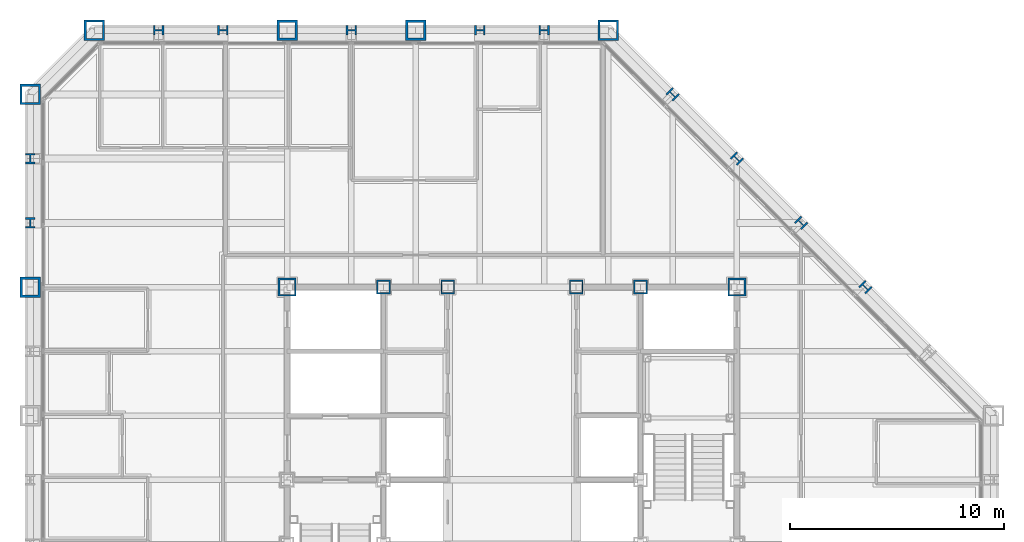
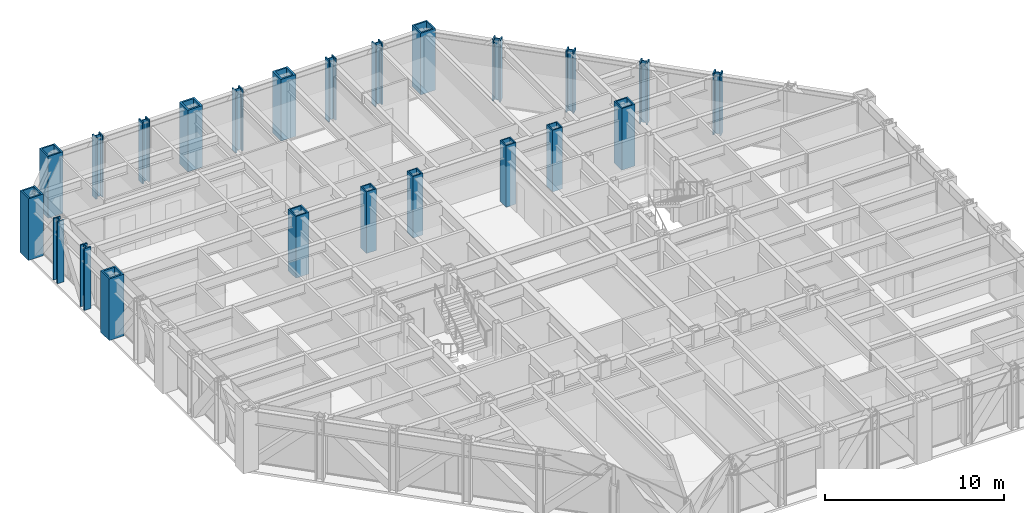
# One storey, part 3 of 16: 23 columns.
"""IFC4 building model written with IfcOpenShell, lengths in metres."""

from ifc_helpers import new_model, si_unit, direction, frame, origin, origin_2d, place, context, subcontext, project, spatial, hollow_rectangle, i_section, extrude, material, material_profile, profile_set, type_object, element, save


model = new_model("IFC4")

# Units and contexts
model_context = context("Model", 3, precision=1e-05, world=origin(), true_north=direction((0.0, 1.0)))
body_context = subcontext(model_context, "Body", "Model", "MODEL_VIEW")
ifc_project = project(units=[si_unit("LENGTHUNIT", "METRE"), si_unit("AREAUNIT", "SQUARE_METRE"), si_unit("VOLUMEUNIT", "CUBIC_METRE"), si_unit("PLANEANGLEUNIT", "RADIAN"), si_unit("MASSUNIT", "GRAM", prefix="KILO")], contexts=[model_context])

# Site, building, storey
site_placement = place(None, origin())
site = spatial("IfcSite", under=ifc_project, at=site_placement, CompositionType="ELEMENT")
building_placement = place(site_placement, origin())
building = spatial("IfcBuilding", under=site, at=building_placement, Name="Chuquiago Exchange Tower", CompositionType="ELEMENT")
storey_placement = place(building_placement, frame((0.0, 0.0, 140.39990234375)))
storey = spatial("IfcBuildingStorey", under=building, at=storey_placement, Name="L30", CompositionType="ELEMENT", Elevation=140.39990234375)

# Columns
ifc_material_1 = material(Name="Steel ASTM A992", Category="steel")
ifc_material_profile_1 = material_profile(ifc_material_1, i_section(OverallWidth=0.431884765625, OverallDepth=0.497802734375, WebThickness=0.0556640625, FlangeThickness=0.0888671875, at=origin_2d()), Name="W14X500")
ifc_profile_set_1 = profile_set([ifc_material_profile_1], Name="Steel ASTM A992")
column_type_1 = type_object("IfcColumnType", Name="C7 W14X500", PredefinedType="COLUMN", material=ifc_profile_set_1)
for number, where, z_axis, x_axis, name in (
    (1, (24.0, 45.0, 0.0), (0.0, 0.0, 1.0), (0.0, 1.0, 0.0), "COL-L30-24_45"),
    (2, (21.0, 45.0, 0.0), (0.0, 0.0, 1.0), (0.0, 1.0, 0.0), "COL-L30-21_45"),
    (3, (15.0, 45.0, 0.0), (0.0, 0.0, 1.0), (0.0, 1.0, 0.0), "COL-L30-15_45"),
    (4, (9.0, 45.0, 0.0), (0.0, 0.0, 1.0), (0.0, 1.0, 0.0), "COL-L30-9_45"),
    (5, (6.0, 45.0, 0.0), (0.0, 0.0, 1.0), (0.0, 1.0, 0.0), "COL-L30-6_45"),
    (6, (0.0, 39.0, 0.0), (0.0, 0.0, 1.0), (-1.0, 0.0, 0.0), "COL-L30-0_39"),
    (7, (0.0, 36.0, 0.0), (0.0, 0.0, 1.0), (-1.0, 0.0, 0.0), "COL-L30-0_36"),
):
    element("IfcColumn", number, at=place(storey_placement, frame(where, z_axis=z_axis, x_axis=x_axis)), inside=storey, type_object=column_type_1, Name=name, PredefinedType="COLUMN", context=body_context, shape_type="SweptSolid", body=[
        extrude(i_section(OverallWidth=0.431884765625, OverallDepth=0.497802734375, WebThickness=0.0556640625, FlangeThickness=0.0888671875, at=origin_2d()), origin(), (0.0, 0.0, 1.0), 4.2001953125),
    ])
ifc_material_2 = material(Name="Steel ASTM A572 Grade 50", Category="steel")
ifc_material_profile_2 = material_profile(ifc_material_2, hollow_rectangle(XDim=0.85009765625, YDim=0.85009765625, WallThickness=0.0849609375, at=origin_2d()), Name="BOX850X850X85")
ifc_profile_set_2 = profile_set([ifc_material_profile_2], Name="Steel ASTM A572 Grade 50")
column_type_2 = type_object("IfcColumnType", Name="CC6 BOX850X850X85", PredefinedType="COLUMN", material=ifc_profile_set_2)
for number, where, z_axis, x_axis, name in (
    (8, (12.0, 33.0, 0.0), (0.0, 0.0, 1.0), (1.0, 0.0, 0.0), "CCOL-L30-12_33"),
    (9, (33.0, 33.0, 0.0), (0.0, 0.0, 1.0), (1.0, 0.0, 0.0), "CCOL-L30-33_33"),
):
    element("IfcColumn", number, at=place(storey_placement, frame(where, z_axis=z_axis, x_axis=x_axis)), inside=storey, type_object=column_type_2, Name=name, PredefinedType="COLUMN", context=body_context, shape_type="SweptSolid", body=[
        extrude(hollow_rectangle(XDim=0.85009765625, YDim=0.85009765625, WallThickness=0.0849609375, at=origin_2d()), origin(), (0.0, 0.0, 1.0), 4.2001953125),
    ])
ifc_material_3 = material(Name="Steel ASTM A572 Grade 50", Category="steel")
ifc_material_profile_3 = material_profile(ifc_material_3, hollow_rectangle(XDim=0.64990234375, YDim=0.64990234375, WallThickness=0.06494140625, at=origin_2d()), Name="BOX650X650X65")
ifc_profile_set_3 = profile_set([ifc_material_profile_3], Name="Steel ASTM A572 Grade 50")
column_type_3 = type_object("IfcColumnType", Name="CC7 BOX650X650X65", PredefinedType="COLUMN", material=ifc_profile_set_3)
for number, where, z_axis, x_axis, name in (
    (10, (16.5, 33.0, 0.0), (0.0, 0.0, 1.0), (1.0, 0.0, 0.0), "CCOL-L30-16.5_33"),
    (11, (19.5, 33.0, 0.0), (0.0, 0.0, 1.0), (1.0, 0.0, 0.0), "CCOL-L30-19.5_33"),
    (12, (25.5, 33.0, 0.0), (0.0, 0.0, 1.0), (1.0, 0.0, 0.0), "CCOL-L30-25.5_33"),
    (13, (28.5, 33.0, 0.0), (0.0, 0.0, 1.0), (1.0, 0.0, 0.0), "CCOL-L30-28.5_33"),
):
    element("IfcColumn", number, at=place(storey_placement, frame(where, z_axis=z_axis, x_axis=x_axis)), inside=storey, type_object=column_type_3, Name=name, PredefinedType="COLUMN", context=body_context, shape_type="SweptSolid", body=[
        extrude(hollow_rectangle(XDim=0.64990234375, YDim=0.64990234375, WallThickness=0.06494140625, at=origin_2d()), origin(), (0.0, 0.0, 1.0), 4.2001953125),
    ])
ifc_material_4 = material(Name="Steel ASTM A992", Category="steel")
ifc_material_profile_4 = material_profile(ifc_material_4, i_section(OverallWidth=0.4267578125, OverallDepth=0.482666015625, WebThickness=0.05126953125, FlangeThickness=0.08154296875, at=origin_2d()), Name="W14X455")
ifc_profile_set_4 = profile_set([ifc_material_profile_4], Name="Steel ASTM A992")
column_type_4 = type_object("IfcColumnType", Name="CK6 W14X455", PredefinedType="COLUMN", material=ifc_profile_set_4)
for number, where, z_axis, x_axis, name in (
    (14, (39.0, 33.0, 0.0), (0.0, 0.0, 1.0), (0.707106781187, 0.707106781187, 0.0), "COL-L30-39_33"),
    (15, (36.0, 36.0, 0.0), (0.0, 0.0, 1.0), (0.707106781187, 0.707106781187, 0.0), "COL-L30-36_36"),
    (16, (33.0, 39.0, 0.0), (0.0, 0.0, 1.0), (0.707106781187, 0.707106781187, 0.0), "COL-L30-33_39"),
    (17, (30.0, 42.0, 0.0), (0.0, 0.0, 1.0), (0.707106781187, 0.707106781187, 0.0), "COL-L30-30_42"),
):
    element("IfcColumn", number, at=place(storey_placement, frame(where, z_axis=z_axis, x_axis=x_axis)), inside=storey, type_object=column_type_4, Name=name, PredefinedType="COLUMN", context=body_context, shape_type="SweptSolid", body=[
        extrude(i_section(OverallWidth=0.4267578125, OverallDepth=0.482666015625, WebThickness=0.05126953125, FlangeThickness=0.08154296875, at=origin_2d()), origin(), (0.0, 0.0, 1.0), 4.2001953125),
    ])
ifc_material_5 = material(Name="Steel ASTM A572 Grade 50", Category="steel")
ifc_material_profile_5 = material_profile(ifc_material_5, hollow_rectangle(XDim=0.949951171875, YDim=0.949951171875, WallThickness=0.094970703125, at=origin_2d()), Name="BOX950X950X95")
ifc_profile_set_5 = profile_set([ifc_material_profile_5], Name="Steel ASTM A572 Grade 50")
column_type_5 = type_object("IfcColumnType", Name="CN1 BOX950X950X95", PredefinedType="COLUMN", material=ifc_profile_set_5)
for number, where, z_axis, x_axis, name in (
    (18, (27.0, 45.0, 0.0), (0.0, 0.0, 1.0), (0.0, 1.0, 0.0), "COL-L30-27_45"),
    (19, (3.0, 45.0, 0.0), (0.0, 0.0, 1.0), (0.0, 1.0, 0.0), "COL-L30-3_45"),
    (20, (0.0, 42.0, 0.0), (0.0, 0.0, 1.0), (-1.0, 0.0, 0.0), "COL-L30-0_42"),
):
    element("IfcColumn", number, at=place(storey_placement, frame(where, z_axis=z_axis, x_axis=x_axis)), inside=storey, type_object=column_type_5, Name=name, PredefinedType="COLUMN", context=body_context, shape_type="SweptSolid", body=[
        extrude(hollow_rectangle(XDim=0.949951171875, YDim=0.949951171875, WallThickness=0.094970703125, at=origin_2d()), origin(), (0.0, 0.0, 1.0), 4.2001953125),
    ])
ifc_material_6 = material(Name="Steel ASTM A572 Grade 42", Category="steel")
ifc_material_profile_6 = material_profile(ifc_material_6, hollow_rectangle(XDim=0.949951171875, YDim=0.949951171875, WallThickness=0.110107421875, at=origin_2d()), Name="BOX950X950X110")
ifc_profile_set_6 = profile_set([ifc_material_profile_6], Name="Steel ASTM A572 Grade 42")
column_type_6 = type_object("IfcColumnType", Name="CT1 BOX950X950X110", PredefinedType="COLUMN", material=ifc_profile_set_6)
for number, where, z_axis, x_axis, name in (
    (21, (18.0, 45.0, 0.0), (0.0, 0.0, 1.0), (0.0, 1.0, 0.0), "COL-L30-18_45"),
    (22, (12.0, 45.0, 0.0), (0.0, 0.0, 1.0), (0.0, 1.0, 0.0), "COL-L30-12_45"),
    (23, (0.0, 33.0, 0.0), (0.0, 0.0, 1.0), (-1.0, 0.0, 0.0), "COL-L30-0_33"),
):
    element("IfcColumn", number, at=place(storey_placement, frame(where, z_axis=z_axis, x_axis=x_axis)), inside=storey, type_object=column_type_6, Name=name, PredefinedType="COLUMN", context=body_context, shape_type="SweptSolid", body=[
        extrude(hollow_rectangle(XDim=0.949951171875, YDim=0.949951171875, WallThickness=0.110107421875, at=origin_2d()), origin(), (0.0, 0.0, 1.0), 4.2001953125),
    ])

save(model, "model.ifc")
